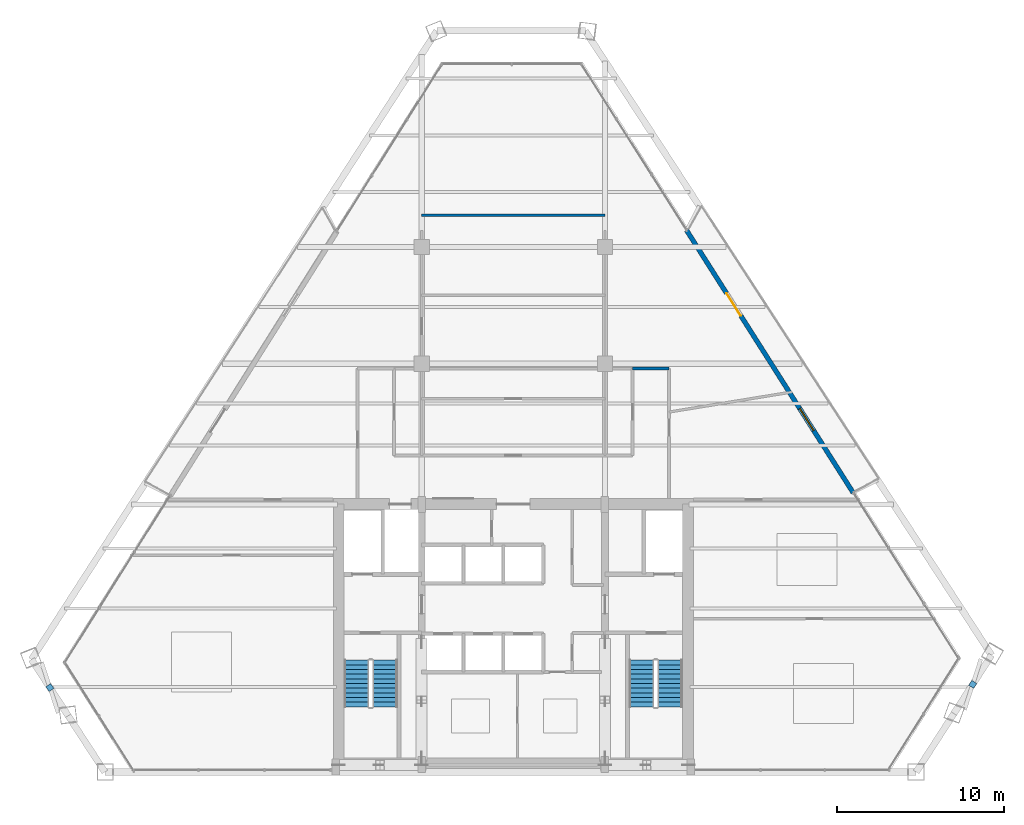
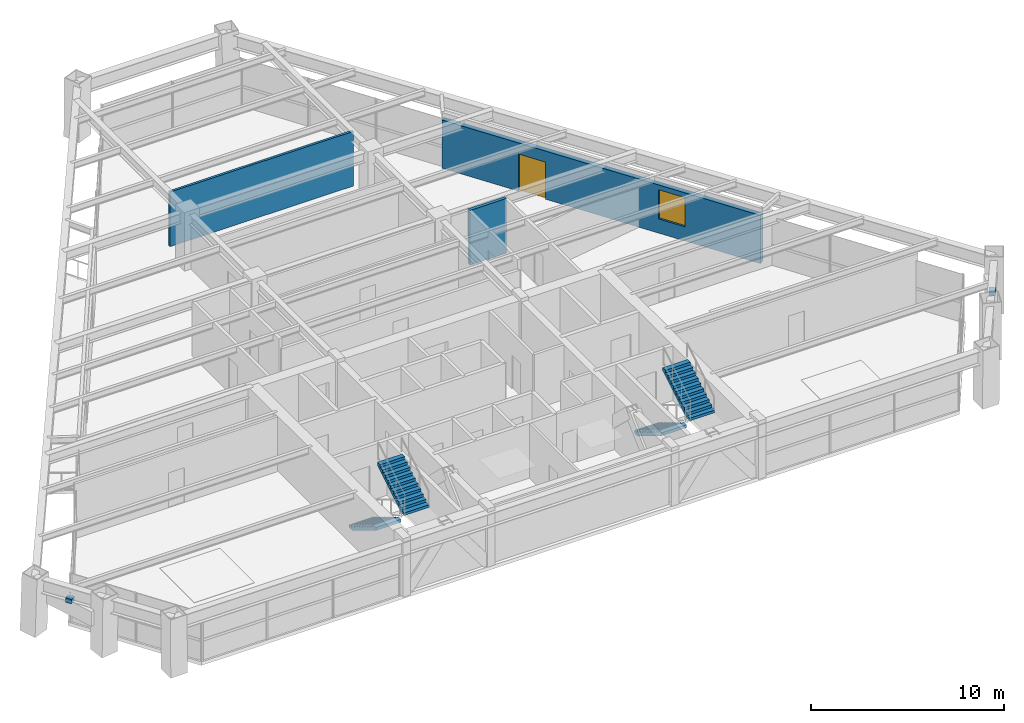
# One storey, part 13 of 15: 4 stair flights, 3 walls, 2 discrete accessories, 1 door, 1 window, 2 openings, 2 elements without a shape of their own.
"""IFC4 building model written with IfcOpenShell, lengths in metres."""

from ifc_helpers import new_model, si_unit, direction, frame, frame_2d, origin, origin_2d, place, context, subcontext, project, spatial, polyline, rectangle, outline, extrude, source, transform, mapped, material, layer, layer_set, type_object, type_shapes, element, fill, aggregate, save


model = new_model("IFC4")

# Units and contexts
model_context = context("Model", 3, precision=1e-05, world=origin(), true_north=direction((0.0, 1.0)))
body_context = subcontext(model_context, "Body", "Model", "MODEL_VIEW")
ifc_project = project(units=[si_unit("LENGTHUNIT", "METRE"), si_unit("AREAUNIT", "SQUARE_METRE"), si_unit("VOLUMEUNIT", "CUBIC_METRE"), si_unit("PLANEANGLEUNIT", "RADIAN"), si_unit("MASSUNIT", "GRAM", prefix="KILO")], contexts=[model_context])

# Site, building, storey
site_placement = place(None, origin())
site = spatial("IfcSite", under=ifc_project, at=site_placement, CompositionType="ELEMENT")
building_placement = place(site_placement, origin())
building = spatial("IfcBuilding", under=site, at=building_placement, Name="Varnakhor Terracotta Tower", CompositionType="ELEMENT")
storey_placement = place(building_placement, frame((0.0, 0.0, 171.0)))
storey = spatial("IfcBuildingStorey", under=building, at=storey_placement, Name="L43", CompositionType="ELEMENT", Elevation=171.0)

# Wall
ifc_material_1 = material(Name="Fire-Rated Gypsum Stud Partition", Category="gypsum")
ifc_layer_1 = layer(ifc_material_1, 0.18505859375, Name="Fire-Rated Gypsum Stud Partition")
ifc_layer_set_1 = layer_set([ifc_layer_1], Name="Fire-Rated Gypsum Stud Partition")
wall_type_1 = type_object("IfcWallType", Name="WAL-CORR-185", PredefinedType="PARTITIONING", material=ifc_layer_set_1)
wall_1_placement = place(storey_placement, frame((7.14990234375, 24.199951171875, 0.0), z_axis=(0.0, 0.0, 1.0), x_axis=(1.0, 0.0, 0.0)))
element("IfcWall", 1, at=wall_1_placement, inside=storey, type_object=wall_type_1, Name="L43 East Gallery North End", PredefinedType="PARTITIONING", context=body_context, shape_type="SweptSolid", body=[
    extrude(rectangle(XDim=2.2001953125, YDim=0.18505859375, at=frame_2d((1.10009765625, 0.0))), origin(), (0.0, 0.0, 1.0), 3.4619140625),
])

# Wall, openings, door, window
ifc_material_2 = material(Name="Extruded Architectural Terracotta Assembly", Category="masonry")
ifc_layer_2 = layer(ifc_material_2, 0.280029296875, Name="Extruded Architectural Terracotta Assembly")
ifc_layer_set_2 = layer_set([ifc_layer_2], Name="Extruded Architectural Terracotta Assembly")
wall_type_2 = type_object("IfcWallType", Name="WAL-EXT-TERRACOTTA-280", PredefinedType="SOLIDWALL", material=ifc_layer_set_2)
wall_2_placement = place(storey_placement, frame((10.39501953125, 32.504150390625, 0.0), z_axis=(0.0, 0.0, 1.0), x_axis=(0.535922647913, -0.844267087748, 0.0)))
wall_2 = element("IfcWall", 2, at=wall_2_placement, inside=storey, type_object=wall_type_2, Name="L43 E Loggia Insulated Terracotta Wall", PredefinedType="SOLIDWALL", context=body_context, shape_type="SweptSolid", body=[
    extrude(rectangle(XDim=18.6416015625, YDim=0.280029296875, at=frame_2d((9.32080078125, 0.0))), origin(), (0.0, 0.0, 1.0), 3.050048828125),
])
opening_1_placement = place(wall_2_placement, frame((4.47412109375, 0.0, 0.0)))
opening_1 = element("IfcOpeningElement", 3, at=opening_1_placement, cuts=wall_2, Name="Opening DR-62", PredefinedType="OPENING", context=body_context, shape_type="SweptSolid", body=[
    extrude(rectangle(XDim=1.60009765625, YDim=2.35009765625, at=frame_2d((0.800048828125, 1.175048828125))), frame((0.0, 0.14990234375, 0.0), z_axis=(0.0, -1.0, 0.0), x_axis=(1.0, 0.0, 0.0)), (0.0, 0.0, 1.0), 0.300048828125),
])
opening_2_placement = place(wall_2_placement, frame((12.676513671875, 0.0, 0.89990234375)))
opening_2 = element("IfcOpeningElement", 4, at=opening_2_placement, cuts=wall_2, Name="Opening WN-57", PredefinedType="OPENING", context=body_context, shape_type="SweptSolid", body=[
    extrude(rectangle(XDim=1.550048828125, YDim=1.85009765625, at=frame_2d((0.77490234375, 0.925048828125))), frame((0.0, 0.14990234375, 0.0), z_axis=(0.0, -1.0, 0.0), x_axis=(1.0, 0.0, 0.0)), (0.0, 0.0, 1.0), 0.300048828125),
])
ifc_material_3 = material(Name="Thermally Broken Sliding Glass Loggia Door", Category="glass")
door_type = type_object("IfcDoorType", Name="DR-EXT-LOGGIA-1600X2350", OperationType="NOTDEFINED", PredefinedType="DOOR", material=ifc_material_3)
shared_shape_1 = source(origin(), body_context, "Body", "SweptSolid", [
    extrude(rectangle(XDim=1.60009765625, YDim=2.35009765625, at=frame_2d((0.800048828125, 1.175048828125))), frame((0.0, 0.02490234375, 0.0), z_axis=(0.0, -1.0, 0.0), x_axis=(1.0, 0.0, 0.0)), (0.0, 0.0, 1.0), 0.050048828125),
])
type_shapes(door_type, [shared_shape_1])
door_placement = place(opening_1_placement, origin())
door = element("IfcDoor", 5, at=door_placement, inside=storey, type_object=door_type, Name="L43 E Recessed Loggia Sliding Door", OperationType="SLIDING_TO_RIGHT", OverallHeight=2.35009765625, OverallWidth=1.60009765625, PredefinedType="DOOR", context=body_context, shape_type="MappedRepresentation", body=[
    mapped(shared_shape_1, transform((0.0, 0.0, 0.0), scale=1.0)),
])
fill(opening_1, door)
ifc_material_4 = material(Name="Solar-Control Low-E Insulated Glass Unit", Category="glass")
window_type = type_object("IfcWindowType", Name="WIN-OFF-1650X2100", PartitioningType="SINGLE_PANEL", PredefinedType="WINDOW", material=ifc_material_4)
shared_shape_2 = source(origin(), body_context, "Body", "SweptSolid", [
    extrude(rectangle(XDim=1.550048828125, YDim=1.85009765625, at=frame_2d((0.77490234375, 0.925048828125))), frame((0.0, 0.030029296875, 0.0), z_axis=(0.0, -1.0, 0.0), x_axis=(1.0, 0.0, 0.0)), (0.0, 0.0, 1.0), 0.06005859375),
])
type_shapes(window_type, [shared_shape_2])
window_placement = place(opening_2_placement, origin())
window = element("IfcWindow", 6, at=window_placement, inside=storey, type_object=window_type, Name="L43 E Facet Punched Window", OverallHeight=1.85009765625, OverallWidth=1.550048828125, PartitioningType="SINGLE_PANEL", PredefinedType="WINDOW", context=body_context, shape_type="MappedRepresentation", body=[
    mapped(shared_shape_2, transform((0.0, 0.0, 0.0), scale=1.0)),
])
fill(opening_2, window)

# Wall
ifc_material_5 = material(Name="Acoustic Metal-Stud Partition", Category="gypsum")
ifc_layer_3 = layer(ifc_material_5, 0.139892578125, Name="Acoustic Metal-Stud Partition")
ifc_layer_set_3 = layer_set([ifc_layer_3], Name="Acoustic Metal-Stud Partition")
wall_type_3 = type_object("IfcWallType", Name="WAL-PART-140", PredefinedType="PARTITIONING", material=ifc_layer_set_3)
wall_3_placement = place(storey_placement, frame((-5.5, 33.39990234375, 0.0), z_axis=(0.0, 0.0, 1.0), x_axis=(1.0, 0.0, 0.0)))
element("IfcWall", 7, at=wall_3_placement, inside=storey, type_object=wall_type_3, Name="L43 Center Cross Cut 3", PredefinedType="PARTITIONING", context=body_context, shape_type="SweptSolid", body=[
    extrude(rectangle(XDim=11.0, YDim=0.139892578125, at=frame_2d((5.5, 0.0))), origin(), (0.0, 0.0, 1.0), 3.4619140625),
])

# Stair, stair flights
ifc_material_6 = material(Name="Concrete C40/50", Category="concrete")
stair_type = type_object("IfcStairType", Name="STR-CORE-OFFICE-1500", PredefinedType="HALF_TURN_STAIR", material=ifc_material_6)
stair_1_placement = place(storey_placement, origin())
stair_1 = element("IfcStair", 8, at=stair_1_placement, inside=storey, type_object=stair_type, Name="L43 Core Exit Stair ST-1", PredefinedType="HALF_TURN_STAIR")
stair_flight_type = type_object("IfcStairFlightType", Name="FLT-CORE-1500", PredefinedType="STRAIGHT", material=ifc_material_6)
stair_flight_1_placement = place(storey_placement, frame((-9.39990234375, 6.7099609375, 0.0), z_axis=(0.0, 0.0, 1.0), x_axis=(0.0, -1.0, 0.0)))
stair_flight_1 = element("IfcStairFlight", 9, at=stair_flight_1_placement, type_object=stair_flight_type, Name="ST-1 flight 1", NumberOfRisers=11, NumberOfTreads=10, PredefinedType="STRAIGHT", RiserHeight=0.168181818, TreadLength=0.28, context=body_context, shape_type="SweptSolid", body=[
    extrude(outline(polyline([(0.0, 0.0), (0.0, 0.168212890625), (0.280029296875, 0.168212890625), (0.280029296875, 0.33642578125), (0.56005859375, 0.33642578125), (0.56005859375, 0.504638671875), (0.840087890625, 0.504638671875), (0.840087890625, 0.672607421875), (1.1201171875, 0.672607421875), (1.1201171875, 0.8408203125), (1.39990234375, 0.8408203125), (1.39990234375, 1.009033203125), (1.679931640625, 1.009033203125), (1.679931640625, 1.17724609375), (1.9599609375, 1.17724609375), (1.9599609375, 1.345458984375), (2.239990234375, 1.345458984375), (2.239990234375, 1.513671875), (2.52001953125, 1.513671875), (2.52001953125, 1.681884765625), (2.800048828125, 1.681884765625), (2.800048828125, 1.85009765625), (2.800048828125, 1.495361328125), (0.310546875, 0.0), (0.0, 0.0)])), frame((0.0, 0.75, 0.0), z_axis=(0.0, -1.0, 0.0), x_axis=(1.0, 0.0, 0.0)), (0.0, 0.0, 1.0), 1.5),
])
stair_flight_2_placement = place(storey_placement, frame((-7.699951171875, 3.909912109375, 1.85009765625), z_axis=(0.0, 0.0, 1.0), x_axis=(0.0, 1.0, 0.0)))
stair_flight_2 = element("IfcStairFlight", 10, at=stair_flight_2_placement, type_object=stair_flight_type, Name="ST-1 flight 2", NumberOfRisers=11, NumberOfTreads=10, PredefinedType="STRAIGHT", RiserHeight=0.168181818, TreadLength=0.28, context=body_context, shape_type="SweptSolid", body=[
    extrude(outline(polyline([(0.0, 0.0), (0.0, 0.168212890625), (0.280029296875, 0.168212890625), (0.280029296875, 0.33642578125), (0.56005859375, 0.33642578125), (0.56005859375, 0.504638671875), (0.840087890625, 0.504638671875), (0.840087890625, 0.672607421875), (1.1201171875, 0.672607421875), (1.1201171875, 0.8408203125), (1.39990234375, 0.8408203125), (1.39990234375, 1.009033203125), (1.679931640625, 1.009033203125), (1.679931640625, 1.17724609375), (1.9599609375, 1.17724609375), (1.9599609375, 1.345458984375), (2.239990234375, 1.345458984375), (2.239990234375, 1.513671875), (2.52001953125, 1.513671875), (2.52001953125, 1.681884765625), (2.800048828125, 1.681884765625), (2.800048828125, 1.85009765625), (2.800048828125, 1.495361328125), (0.310546875, 0.0), (0.0, 0.0)])), frame((0.0, 0.75, 0.0), z_axis=(0.0, -1.0, 0.0), x_axis=(1.0, 0.0, 0.0)), (0.0, 0.0, 1.0), 1.5),
])
aggregate(stair_1, [stair_flight_1, stair_flight_2])

stair_2_placement = place(storey_placement, origin())
stair_2 = element("IfcStair", 11, at=stair_2_placement, inside=storey, type_object=stair_type, Name="L43 Core Exit Stair ST-2", PredefinedType="HALF_TURN_STAIR")
stair_flight_3_placement = place(storey_placement, frame((7.699951171875, 6.7099609375, 0.0), z_axis=(0.0, 0.0, 1.0), x_axis=(0.0, -1.0, 0.0)))
stair_flight_3 = element("IfcStairFlight", 12, at=stair_flight_3_placement, type_object=stair_flight_type, Name="ST-2 flight 1", NumberOfRisers=11, NumberOfTreads=10, PredefinedType="STRAIGHT", RiserHeight=0.168181818, TreadLength=0.28, context=body_context, shape_type="SweptSolid", body=[
    extrude(outline(polyline([(0.0, 0.0), (0.0, 0.168212890625), (0.280029296875, 0.168212890625), (0.280029296875, 0.33642578125), (0.56005859375, 0.33642578125), (0.56005859375, 0.504638671875), (0.840087890625, 0.504638671875), (0.840087890625, 0.672607421875), (1.1201171875, 0.672607421875), (1.1201171875, 0.8408203125), (1.39990234375, 0.8408203125), (1.39990234375, 1.009033203125), (1.679931640625, 1.009033203125), (1.679931640625, 1.17724609375), (1.9599609375, 1.17724609375), (1.9599609375, 1.345458984375), (2.239990234375, 1.345458984375), (2.239990234375, 1.513671875), (2.52001953125, 1.513671875), (2.52001953125, 1.681884765625), (2.800048828125, 1.681884765625), (2.800048828125, 1.85009765625), (2.800048828125, 1.495361328125), (0.310546875, 0.0), (0.0, 0.0)])), frame((0.0, 0.75, 0.0), z_axis=(0.0, -1.0, 0.0), x_axis=(1.0, 0.0, 0.0)), (0.0, 0.0, 1.0), 1.5),
])
stair_flight_4_placement = place(storey_placement, frame((9.39990234375, 3.909912109375, 1.85009765625), z_axis=(0.0, 0.0, 1.0), x_axis=(0.0, 1.0, 0.0)))
stair_flight_4 = element("IfcStairFlight", 13, at=stair_flight_4_placement, type_object=stair_flight_type, Name="ST-2 flight 2", NumberOfRisers=11, NumberOfTreads=10, PredefinedType="STRAIGHT", RiserHeight=0.168181818, TreadLength=0.28, context=body_context, shape_type="SweptSolid", body=[
    extrude(outline(polyline([(0.0, 0.0), (0.0, 0.168212890625), (0.280029296875, 0.168212890625), (0.280029296875, 0.33642578125), (0.56005859375, 0.33642578125), (0.56005859375, 0.504638671875), (0.840087890625, 0.504638671875), (0.840087890625, 0.672607421875), (1.1201171875, 0.672607421875), (1.1201171875, 0.8408203125), (1.39990234375, 0.8408203125), (1.39990234375, 1.009033203125), (1.679931640625, 1.009033203125), (1.679931640625, 1.17724609375), (1.9599609375, 1.17724609375), (1.9599609375, 1.345458984375), (2.239990234375, 1.345458984375), (2.239990234375, 1.513671875), (2.52001953125, 1.513671875), (2.52001953125, 1.681884765625), (2.800048828125, 1.681884765625), (2.800048828125, 1.85009765625), (2.800048828125, 1.495361328125), (0.310546875, 0.0), (0.0, 0.0)])), frame((0.0, 0.75, 0.0), z_axis=(0.0, -1.0, 0.0), x_axis=(1.0, 0.0, 0.0)), (0.0, 0.0, 1.0), 1.5),
])
aggregate(stair_2, [stair_flight_3, stair_flight_4])

# Discrete accessories
ifc_material_7 = material(Name="Stainless Steel Fixing Bracket", Category="steel")
discrete_accessory_type = type_object("IfcDiscreteAccessoryType", Name="BRACKET-TERRACOTTA-SCREEN", PredefinedType="BRACKET", material=ifc_material_7)
shared_shape_3 = source(origin(), body_context, "Body", "SweptSolid", [
    extrude(rectangle(XDim=0.35009765625, YDim=0.35009765625, at=origin_2d()), origin(), (0.0, 0.0, 1.0), 0.280029296875),
])
type_shapes(discrete_accessory_type, [shared_shape_3])
for number, where, z_axis, x_axis, name in (
    (14, (27.56298828125, 5.259765625, 2.48486328125), (0.0, 0.0, 1.0), (0.541810900823, 0.84050041508, 0.0), "L43 E Screen Fixing Bracket"),
    (15, (-27.80517578125, 5.064697265625, 2.48486328125), (0.0, 0.0, 1.0), (0.545443849909, -0.83814736568, 0.0), "L43 W Screen Fixing Bracket"),
):
    element("IfcDiscreteAccessory", number, at=place(storey_placement, frame(where, z_axis=z_axis, x_axis=x_axis)), inside=storey, type_object=discrete_accessory_type, Name=name, PredefinedType="BRACKET", context=body_context, shape_type="MappedRepresentation", body=[
        mapped(shared_shape_3, transform((0.0, 0.0, 0.0), scale=1.0)),
    ])

save(model, "model.ifc")
